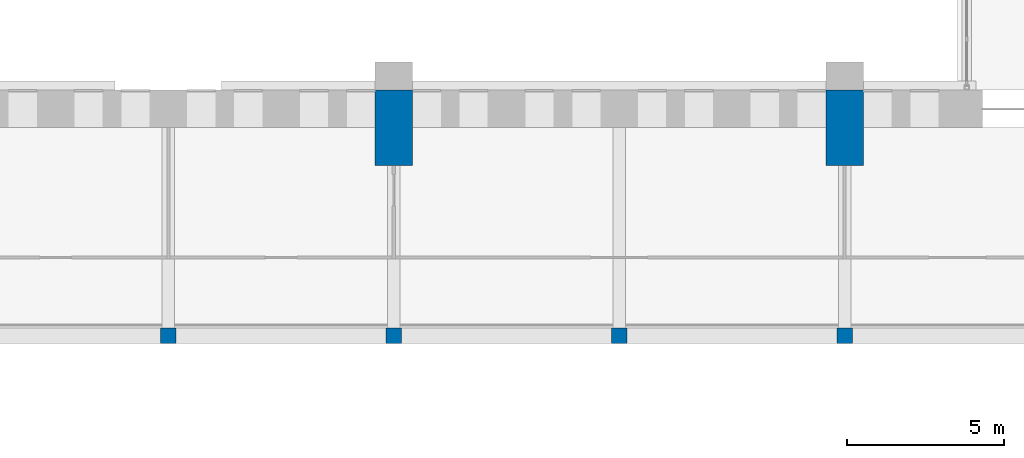
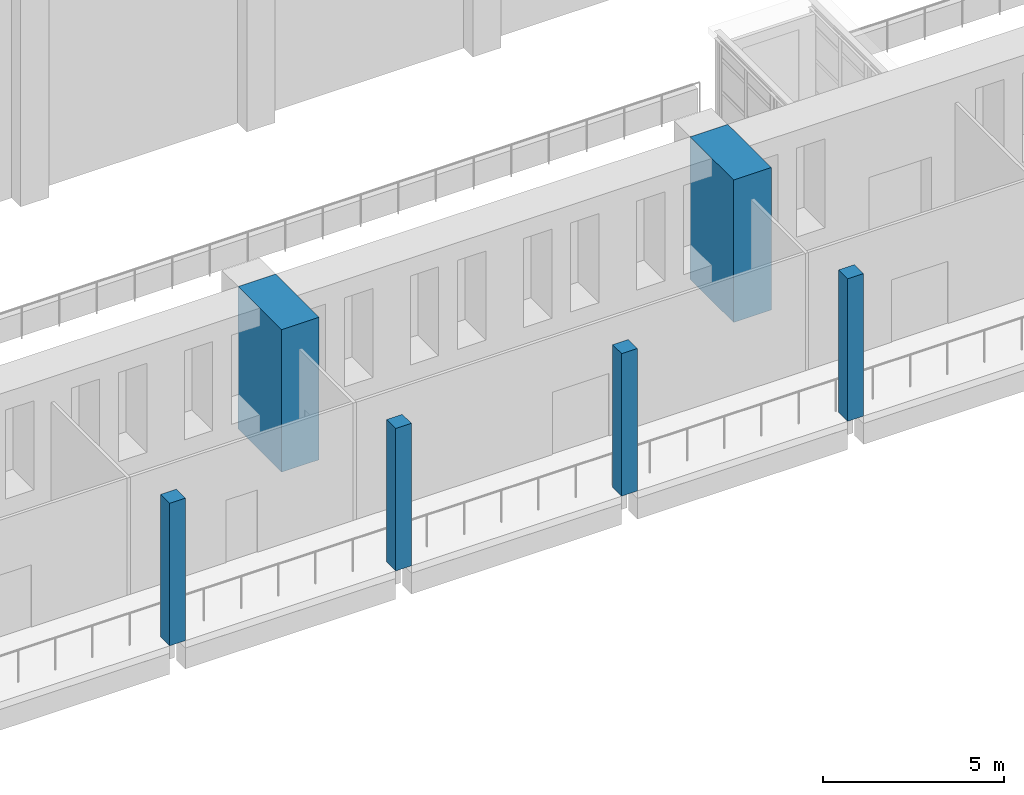
# One storey, part 20 of 131: 6 columns.
"""IFC4 building model written with IfcOpenShell, lengths in metres."""

from ifc_helpers import new_model, si_unit, direction, frame, origin, origin_2d, place, context, subcontext, project, spatial, rectangle, extrude, material, material_profile, profile_set, type_object, element, save


model = new_model("IFC4")

# Units and contexts
model_context = context("Model", 3, precision=1e-05, world=origin(), true_north=direction((0.0, 1.0)))
body_context = subcontext(model_context, "Body", "Model", "MODEL_VIEW")
ifc_project = project(units=[si_unit("LENGTHUNIT", "METRE"), si_unit("AREAUNIT", "SQUARE_METRE"), si_unit("VOLUMEUNIT", "CUBIC_METRE"), si_unit("PLANEANGLEUNIT", "RADIAN"), si_unit("MASSUNIT", "GRAM", prefix="KILO")], contexts=[model_context])

# Site, building, storey
site_placement = place(None, origin())
site = spatial("IfcSite", under=ifc_project, at=site_placement, CompositionType="ELEMENT")
building_placement = place(site_placement, origin())
building = spatial("IfcBuilding", under=site, at=building_placement, Name="Alderwick Market Hall", CompositionType="ELEMENT")
storey_placement = place(building_placement, frame((0.0, 0.0, 4.800048828125)))
storey = spatial("IfcBuildingStorey", under=building, at=storey_placement, Name="L00", CompositionType="ELEMENT", Elevation=4.800048828125)

# Columns
ifc_material = material(Name="Concrete 5000 psi (f'c 35 MPa)", Category="concrete")
ifc_material_profile_1 = material_profile(ifc_material, rectangle(XDim=0.5, YDim=0.5, at=origin_2d()), Name="RC 500x500")
ifc_profile_set_1 = profile_set([ifc_material_profile_1], Name="Concrete 5000 psi (f'c 35 MPa)")
column_type_1 = type_object("IfcColumnType", Name="H Column 500x500", PredefinedType="COLUMN", material=ifc_profile_set_1)
for number, where, z_axis, x_axis, name in (
    (1, (100.800048828125, 100.760009765625, 0.0), (0.0, 0.0, 1.0), (1.0, 0.0, 0.0), "Gallery column N12"),
    (2, (108.0, 100.760009765625, 0.0), (0.0, 0.0, 1.0), (1.0, 0.0, 0.0), "Gallery column N14"),
    (3, (115.199951171875, 100.760009765625, 0.0), (0.0, 0.0, 1.0), (1.0, 0.0, 0.0), "Gallery column N16"),
    (4, (122.39990234375, 100.760009765625, 0.0), (0.0, 0.0, 1.0), (1.0, 0.0, 0.0), "Gallery column N18"),
):
    element("IfcColumn", number, at=place(storey_placement, frame(where, z_axis=z_axis, x_axis=x_axis)), inside=storey, type_object=column_type_1, Name=name, PredefinedType="COLUMN", context=body_context, shape_type="SweptSolid", body=[
        extrude(rectangle(XDim=0.5, YDim=0.5, at=origin_2d()), origin(), (0.0, 0.0, 1.0), 4.800048828125),
    ])
ifc_material_profile_2 = material_profile(ifc_material, rectangle(XDim=1.199951171875, YDim=2.39990234375, at=origin_2d()), Name="RC 1200x2400")
ifc_profile_set_2 = profile_set([ifc_material_profile_2], Name="Concrete 5000 psi (f'c 35 MPa)")
column_type_2 = type_object("IfcColumnType", Name="R Buttress Pier 1200x2400", PredefinedType="COLUMN", material=ifc_profile_set_2)
for number, where, z_axis, x_axis, name in (
    (5, (108.0, 107.39990234375, 0.0), (0.0, 0.0, 1.0), (1.0, 0.0, 0.0), "Buttress pier N5 L00"),
    (6, (122.39990234375, 107.39990234375, 0.0), (0.0, 0.0, 1.0), (1.0, 0.0, 0.0), "Buttress pier N6 L00"),
):
    element("IfcColumn", number, at=place(storey_placement, frame(where, z_axis=z_axis, x_axis=x_axis)), inside=storey, type_object=column_type_2, Name=name, PredefinedType="COLUMN", context=body_context, shape_type="SweptSolid", body=[
        extrude(rectangle(XDim=1.199951171875, YDim=2.39990234375, at=origin_2d()), origin(), (0.0, 0.0, 1.0), 4.800048828125),
    ])

save(model, "model.ifc")
